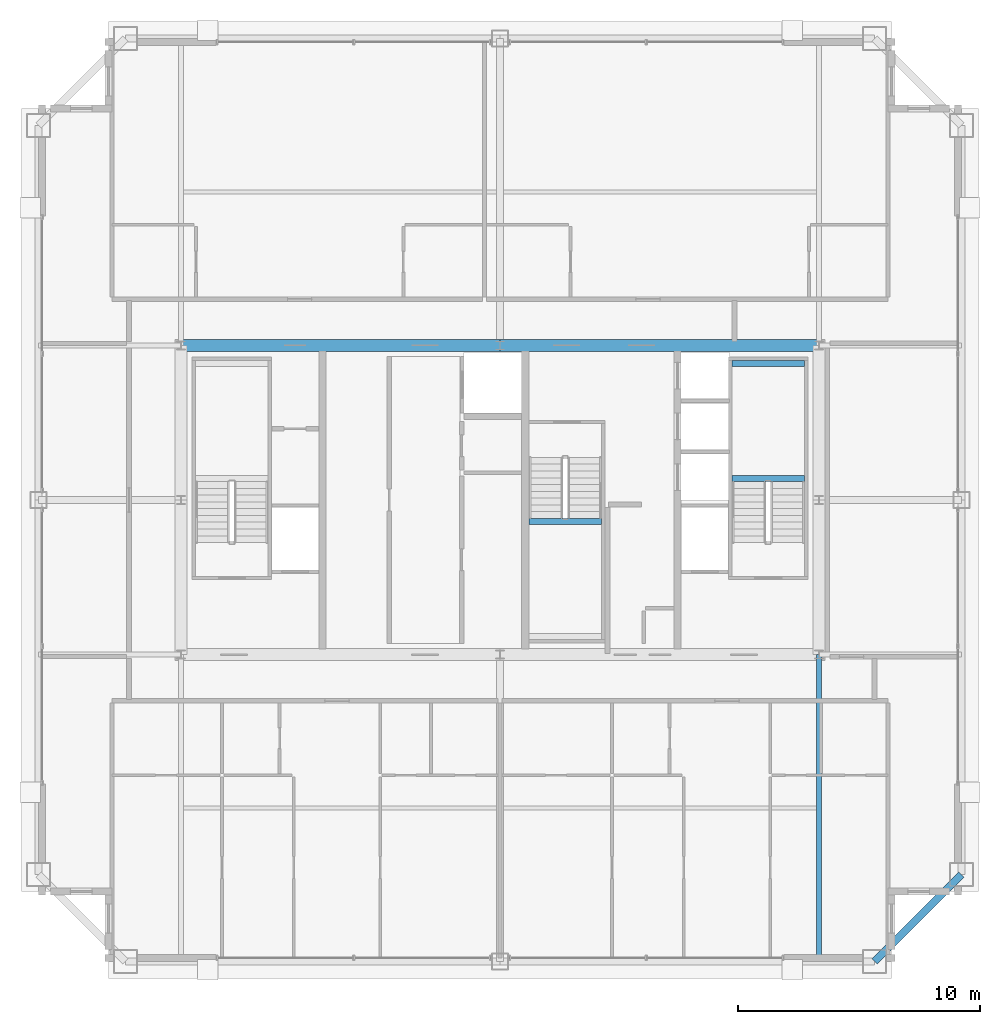
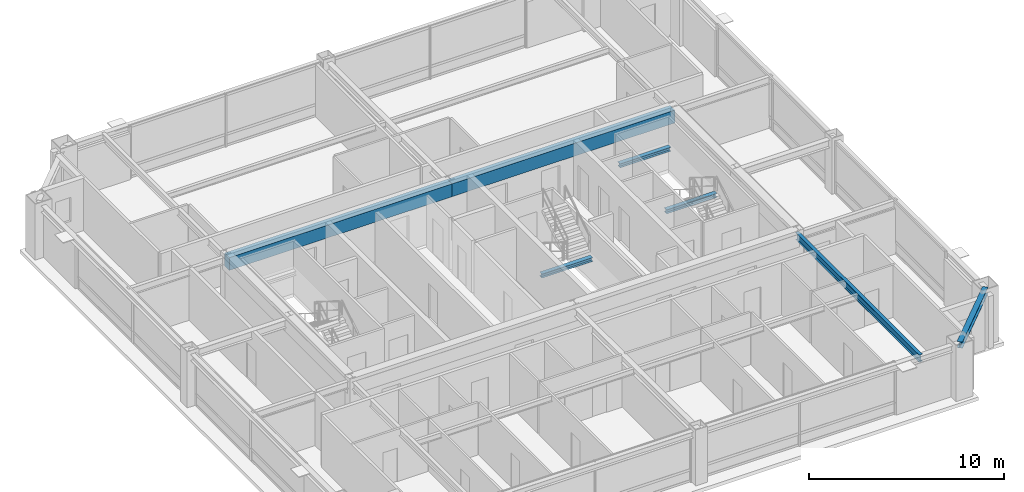
# One storey, part 13 of 34: 7 beams.
"""IFC4 building model written with IfcOpenShell, lengths in metres."""

from ifc_helpers import new_model, si_unit, direction, frame, origin, origin_2d, place, context, subcontext, project, spatial, rectangle, i_section, extrude, source, transform, mapped, material, material_profile, profile_set, type_object, element, save


model = new_model("IFC4")

# Units and contexts
model_context = context("Model", 3, precision=1e-05, world=origin(), true_north=direction((0.0, 1.0)))
body_context = subcontext(model_context, "Body", "Model", "MODEL_VIEW")
ifc_project = project(units=[si_unit("LENGTHUNIT", "METRE"), si_unit("AREAUNIT", "SQUARE_METRE"), si_unit("VOLUMEUNIT", "CUBIC_METRE"), si_unit("PLANEANGLEUNIT", "RADIAN"), si_unit("MASSUNIT", "GRAM", prefix="KILO"), si_unit("THERMODYNAMICTEMPERATUREUNIT", "KELVIN"), si_unit("POWERUNIT", "WATT")], contexts=[model_context])

# Site, building, storey
site_placement = place(None, origin())
site = spatial("IfcSite", under=ifc_project, at=site_placement, CompositionType="ELEMENT")
building_placement = place(site_placement, origin())
building = spatial("IfcBuilding", under=site, at=building_placement, Name="Yuzanri Waterfront Tower", CompositionType="ELEMENT")
storey_placement = place(building_placement, frame((0.0, 0.0, 325.199951171875)))
storey = spatial("IfcBuildingStorey", under=building, at=storey_placement, Name="L87", CompositionType="ELEMENT", Elevation=325.199951171875)

# Beams
ifc_material_1 = material(Name="Concrete C50", Category="concrete")
ifc_material_profile_1 = material_profile(ifc_material_1, rectangle(XDim=0.5, YDim=0.800048828125, at=origin_2d()), Name="RC 500x800")
ifc_profile_set_1 = profile_set([ifc_material_profile_1], Name="Concrete C50")
beam_type_1 = type_object("IfcBeamType", Name="Core Coupling Lintel Concrete C50 500x800", PredefinedType="LINTEL", material=ifc_profile_set_1)
shared_shape_1 = source(origin(), body_context, "Body", "SweptSolid", [
    extrude(rectangle(XDim=0.5, YDim=0.800048828125, at=origin_2d()), origin(), (0.0, 0.0, 1.0), 13.199951171875),
])
for number, where, z_axis, x_axis, name in (
    (1, (23.800048828125, 32.199951171875, 2.880126953125), (1.0, 0.0, 0.0), (0.0, 1.0, 0.0), "L87 Core Tie Beam CN1"),
    (2, (37.0, 32.199951171875, 2.880126953125), (1.0, 0.0, 0.0), (0.0, 1.0, 0.0), "L87 Core Tie Beam CN2"),
):
    element("IfcBeam", number, at=place(storey_placement, frame(where, z_axis=z_axis, x_axis=x_axis)), inside=storey, type_object=beam_type_1, Name=name, PredefinedType="LINTEL", context=body_context, shape_type="MappedRepresentation", body=[
        mapped(shared_shape_1, transform((0.0, 0.0, 0.0), scale=1.0)),
    ])
ifc_material_2 = material(Name="Steel Q355B", Category="steel")
ifc_material_profile_2 = material_profile(ifc_material_2, i_section(OverallWidth=0.300048828125, OverallDepth=0.389892578125, WebThickness=0.010009765625, FlangeThickness=0.01611328125, at=origin_2d()), Name="HM 390x300x10x16")
ifc_profile_set_2 = profile_set([ifc_material_profile_2], Name="Steel Q355B")
beam_type_2 = type_object("IfcBeamType", Name="Perimeter Spandrel Q355B HM 390x300", PredefinedType="SPANDREL", material=ifc_profile_set_2)
shared_shape_2 = source(origin(), body_context, "Body", "SweptSolid", [
    extrude(i_section(OverallWidth=0.300048828125, OverallDepth=0.389892578125, WebThickness=0.010009765625, FlangeThickness=0.01611328125, at=origin_2d()), origin(), (0.0, 0.0, 1.0), 5.09130859375),
])
beam_1_placement = place(storey_placement, frame((52.5, 6.699951171875, 3.0849609375), z_axis=(0.707106781187, 0.707106781187, 0.0), x_axis=(-0.707106781187, 0.707106781187, 0.0)))
element("IfcBeam", 3, at=beam_1_placement, inside=storey, type_object=beam_type_2, Name="L87 Perimeter Spandrel S3-E1", PredefinedType="SPANDREL", context=body_context, shape_type="MappedRepresentation", body=[
    mapped(shared_shape_2, transform((0.0, 0.0, 0.0), scale=1.0)),
])
ifc_material_3 = material(Name="Steel Q355B", Category="steel")
ifc_material_profile_3 = material_profile(ifc_material_3, i_section(OverallWidth=0.199951171875, OverallDepth=0.449951171875, WebThickness=0.009033203125, FlangeThickness=0.013916015625, at=origin_2d()), Name="HN 450x200x9x14")
ifc_profile_set_3 = profile_set([ifc_material_profile_3], Name="Steel Q355B")
beam_type_3 = type_object("IfcBeamType", Name="Secondary Floor Beam Q355B HN 450x200", PredefinedType="BEAM", material=ifc_profile_set_3)
shared_shape_3 = source(origin(), body_context, "Body", "SweptSolid", [
    extrude(i_section(OverallWidth=0.199951171875, OverallDepth=0.449951171875, WebThickness=0.009033203125, FlangeThickness=0.013916015625, at=origin_2d()), origin(), (0.0, 0.0, 1.0), 12.699951171875),
])
beam_2_placement = place(storey_placement, frame((50.199951171875, 19.39990234375, 3.054931640625), z_axis=(0.0, -1.0, 0.0), x_axis=(1.0, 0.0, 0.0)))
element("IfcBeam", 4, at=beam_2_placement, inside=storey, type_object=beam_type_3, Name="L87 South-East Core Line Beam", PredefinedType="BEAM", context=body_context, shape_type="MappedRepresentation", body=[
    mapped(shared_shape_3, transform((0.0, 0.0, 0.0), scale=1.0)),
])
ifc_material_4 = material(Name="Steel Q355B", Category="steel")
ifc_material_profile_4 = material_profile(ifc_material_4, i_section(OverallWidth=0.25, OverallDepth=0.25, WebThickness=0.009033203125, FlangeThickness=0.013916015625, at=origin_2d()), Name="HW 250x250x9x14")
ifc_profile_set_4 = profile_set([ifc_material_profile_4], Name="Steel Q355B")
beam_type_4 = type_object("IfcBeamType", Name="Stair Landing Support Beam Q355B HW 250x250", PredefinedType="BEAM", material=ifc_profile_set_4)
shared_shape_4 = source(origin(), body_context, "Body", "SweptSolid", [
    extrude(i_section(OverallWidth=0.25, OverallDepth=0.25, WebThickness=0.009033203125, FlangeThickness=0.013916015625, at=origin_2d()), origin(), (0.0, 0.0, 1.0), 3.0),
])
for number, where, z_axis, x_axis, name in (
    (5, (46.60009765625, 26.68994140625, 1.425048828125), (1.0, 0.0, 0.0), (0.0, 1.0, 0.0), "L87 Stair Landing Support Beam ST-02-L87-L1-1"),
    (6, (46.60009765625, 31.449951171875, 1.425048828125), (1.0, 0.0, 0.0), (0.0, 1.0, 0.0), "L87 Stair Landing Support Beam ST-02-L87-L1-2"),
    (7, (38.199951171875, 24.909912109375, 1.425048828125), (1.0, 0.0, 0.0), (0.0, 1.0, 0.0), "L87 Stair Landing Support Beam ST-03-L87-L1-2"),
):
    element("IfcBeam", number, at=place(storey_placement, frame(where, z_axis=z_axis, x_axis=x_axis)), inside=storey, type_object=beam_type_4, Name=name, PredefinedType="BEAM", context=body_context, shape_type="MappedRepresentation", body=[
        mapped(shared_shape_4, transform((0.0, 0.0, 0.0), scale=1.0)),
    ])

save(model, "model.ifc")
